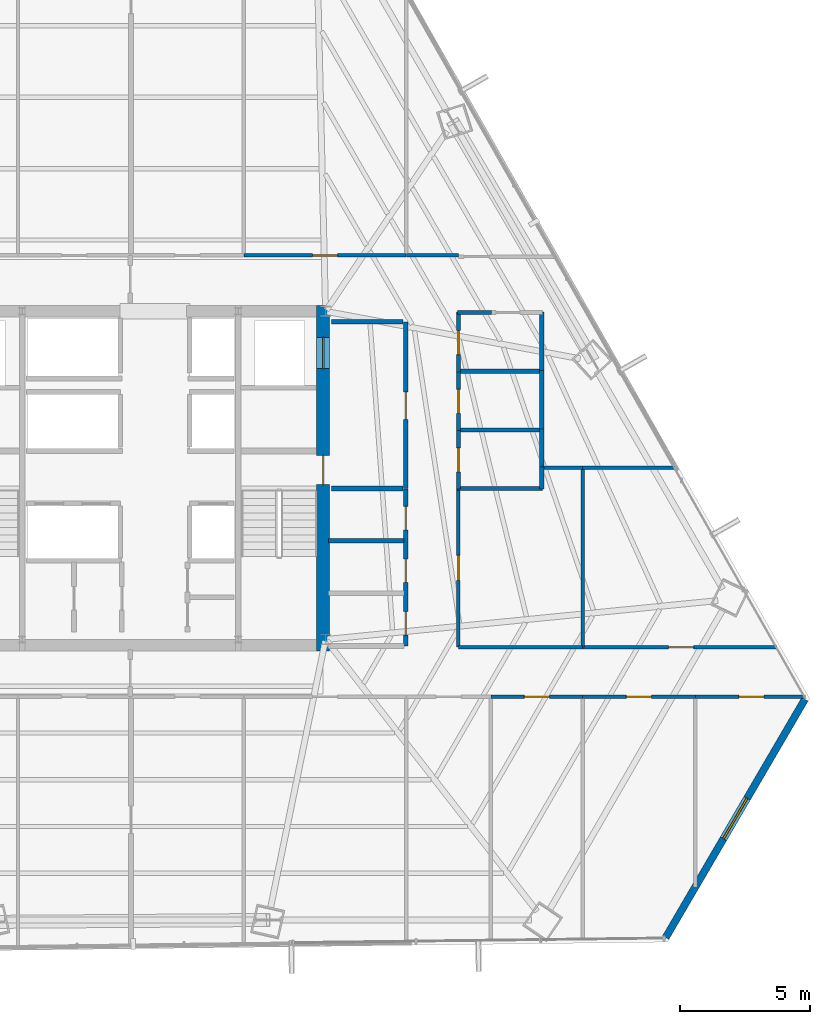
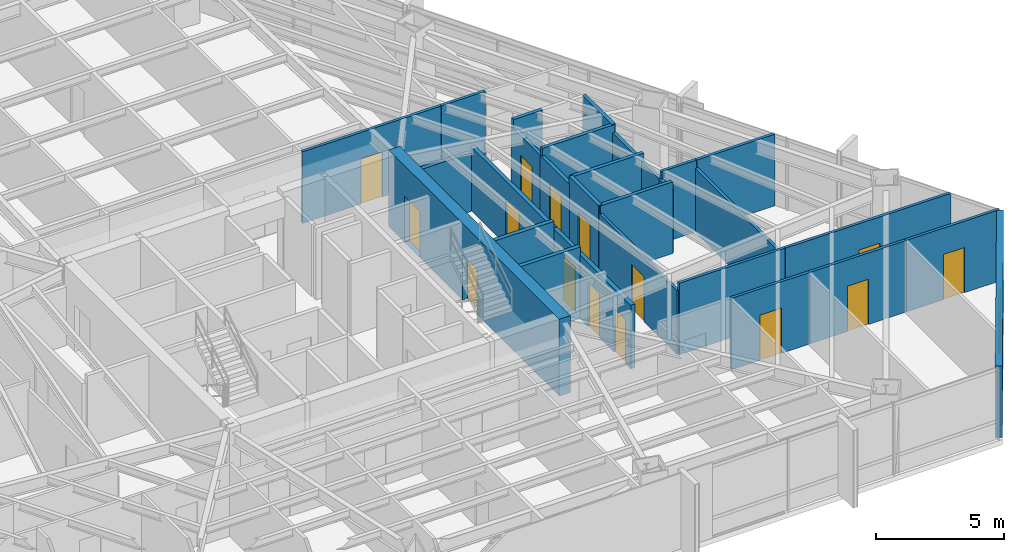
# One storey, part 33 of 37: 29 walls, 15 doors, 1 window, 16 openings.
"""IFC4 building model written with IfcOpenShell, lengths in metres."""

from ifc_helpers import new_model, si_unit, direction, frame, frame_2d, origin, place, context, subcontext, project, spatial, rectangle, extrude, material, layer, layer_set, type_object, element, fill, save


model = new_model("IFC4")

# Units and contexts
model_context = context("Model", 3, precision=1e-05, world=origin(), true_north=direction((0.0, 1.0)))
body_context = subcontext(model_context, "Body", "Model", "MODEL_VIEW")
ifc_project = project(units=[si_unit("LENGTHUNIT", "METRE"), si_unit("AREAUNIT", "SQUARE_METRE"), si_unit("VOLUMEUNIT", "CUBIC_METRE"), si_unit("PLANEANGLEUNIT", "RADIAN"), si_unit("MASSUNIT", "GRAM", prefix="KILO")], contexts=[model_context])

# Site, building, storey
site_placement = place(None, origin())
site = spatial("IfcSite", under=ifc_project, at=site_placement, CompositionType="ELEMENT")
building_placement = place(site_placement, origin())
building = spatial("IfcBuilding", under=site, at=building_placement, Name="Caelisora Broadcast Tower", CompositionType="ELEMENT")
storey_placement = place(building_placement, frame((0.0, 0.0, 116.35009765625)))
storey = spatial("IfcBuildingStorey", under=building, at=storey_placement, Name="L30", CompositionType="ELEMENT", Elevation=116.35009765625)

# Wall, openings, doors
ifc_material_1 = material(Name="Concrete 50 MPa (AS 3600 S50)", Category="concrete")
ifc_layer_1 = layer(ifc_material_1, 0.5, Name="Concrete 50 MPa (AS 3600 S50)")
ifc_layer_set_1 = layer_set([ifc_layer_1], Name="Concrete 50 MPa (AS 3600 S50)")
wall_type_1 = type_object("IfcWallType", Name="CW2", PredefinedType="SHEAR", material=ifc_layer_set_1)
wall_1_placement = place(storey_placement, frame((45.409912109375, 16.949951171875, 0.0), z_axis=(0.0, 0.0, 1.0), x_axis=(0.0, 1.0, 0.0)))
wall_1 = element("IfcWall", 1, at=wall_1_placement, inside=storey, type_object=wall_type_1, Name="L30 core shear wall CW2", PredefinedType="SHEAR", context=body_context, shape_type="SweptSolid", body=[
    extrude(rectangle(XDim=13.275146484375, YDim=0.5, at=frame_2d((6.6376953125, 0.0))), origin(), (0.0, 0.0, 1.0), 3.64990234375),
])
opening_1_placement = place(wall_1_placement, frame((6.39990234375, 0.0, 0.0)))
opening_1 = element("IfcOpeningElement", 2, at=opening_1_placement, cuts=wall_1, Name="Opening FD04", PredefinedType="OPENING", context=body_context, shape_type="SweptSolid", body=[
    extrude(rectangle(XDim=1.1201171875, YDim=2.14990234375, at=frame_2d((0.56005859375, 1.074951171875))), frame((0.0, 0.261962890625, 0.0), z_axis=(0.0, -1.0, 0.0), x_axis=(1.0, 0.0, 0.0)), (0.0, 0.0, 1.0), 0.52392578125),
])
opening_2_placement = place(wall_1_placement, frame((10.85009765625, 0.0, 0.0)))
opening_2 = element("IfcOpeningElement", 3, at=opening_2_placement, cuts=wall_1, Name="Opening LD04", PredefinedType="OPENING", context=body_context, shape_type="SweptSolid", body=[
    extrude(rectangle(XDim=1.199951171875, YDim=2.199951171875, at=frame_2d((0.60009765625, 1.10009765625))), frame((0.0, 0.261962890625, 0.0), z_axis=(0.0, -1.0, 0.0), x_axis=(1.0, 0.0, 0.0)), (0.0, 0.0, 1.0), 0.52392578125),
])
ifc_material_2 = material(Name="Pressurised Fire-Isolated Stair Door", Category="steel")
door_type_1 = type_object("IfcDoorType", Name="FD04", OperationType="NOTDEFINED", PredefinedType="DOOR", material=ifc_material_2)
door_1_placement = place(opening_1_placement, origin())
door_1 = element("IfcDoor", 4, at=door_1_placement, inside=storey, type_object=door_type_1, Name="L30 door FD04 (L30-DR-ST2)", OperationType="SINGLE_SWING_RIGHT", OverallHeight=2.14990234375, OverallWidth=1.1201171875, PredefinedType="DOOR", context=body_context, shape_type="SweptSolid", body=[
    extrude(rectangle(XDim=1.1201171875, YDim=2.14990234375, at=frame_2d((0.56005859375, 1.074951171875))), frame((0.0, 0.02490234375, 0.0), z_axis=(0.0, -1.0, 0.0), x_axis=(1.0, 0.0, 0.0)), (0.0, 0.0, 1.0), 0.050048828125),
])
fill(opening_1, door_1)
ifc_material_3 = material(Name="Emergency Firefighting Lift Sliding Landing Door", Category="steel")
door_type_2 = type_object("IfcDoorType", Name="LD04", OperationType="NOTDEFINED", PredefinedType="DOOR", material=ifc_material_3)
door_2_placement = place(opening_2_placement, origin())
door_2 = element("IfcDoor", 5, at=door_2_placement, inside=storey, type_object=door_type_2, Name="L30 door LD04 (L30-LD-FFL2)", OperationType="SLIDING_TO_RIGHT", OverallHeight=2.199951171875, OverallWidth=1.199951171875, PredefinedType="DOOR", context=body_context, shape_type="SweptSolid", body=[
    extrude(rectangle(XDim=1.199951171875, YDim=2.199951171875, at=frame_2d((0.60009765625, 1.10009765625))), frame((0.0, 0.02490234375, 0.0), z_axis=(0.0, -1.0, 0.0), x_axis=(1.0, 0.0, 0.0)), (0.0, 0.0, 1.0), 0.050048828125),
])
fill(opening_2, door_2)

# Wall, opening, window
ifc_material_4 = material(Name="Insulated Terracotta Spandrel Wall System", Category="masonry")
ifc_layer_2 = layer(ifc_material_4, 0.280029296875, Name="Insulated Terracotta Spandrel Wall System")
ifc_layer_set_2 = layer_set([ifc_layer_2], Name="Insulated Terracotta Spandrel Wall System")
wall_type_2 = type_object("IfcWallType", Name="EW1", PredefinedType="STANDARD", material=ifc_layer_set_2)
wall_2_placement = place(storey_placement, frame((63.90478515625, 15.10302734375, 0.0), z_axis=(0.0, 0.0, 1.0), x_axis=(-0.504465605524, -0.863431788182, 0.0)))
wall_2 = element("IfcWall", 6, at=wall_2_placement, inside=storey, type_object=wall_type_2, Name="L30 exterior envelope wall EW1", PredefinedType="STANDARD", context=body_context, shape_type="SweptSolid", body=[
    extrude(rectangle(XDim=10.5927734375, YDim=0.280029296875, at=frame_2d((5.29638671875, 0.0))), origin(), (0.0, 0.0, 1.0), 3.39990234375),
])
opening_3_placement = place(wall_2_placement, frame((4.39990234375, 0.0, 0.89990234375)))
opening_3 = element("IfcOpeningElement", 7, at=opening_3_placement, cuts=wall_2, Name="Opening W01", PredefinedType="OPENING", context=body_context, shape_type="SweptSolid", body=[
    extrude(rectangle(XDim=1.800048828125, YDim=1.800048828125, at=frame_2d((0.89990234375, 0.89990234375))), frame((0.0, 0.152099609375, 0.0), z_axis=(0.0, -1.0, 0.0), x_axis=(1.0, 0.0, 0.0)), (0.0, 0.0, 1.0), 0.303955078125),
])
ifc_material_5 = material(Name="Double Glazed Terracotta-Framed Vision Window", Category="glass")
window_type = type_object("IfcWindowType", Name="W01", PartitioningType="SINGLE_PANEL", PredefinedType="WINDOW", material=ifc_material_5)
window_placement = place(opening_3_placement, origin())
window = element("IfcWindow", 8, at=window_placement, inside=storey, type_object=window_type, Name="L30 window W01 (L30-WN-CH0)", OverallHeight=1.800048828125, OverallWidth=1.800048828125, PartitioningType="SINGLE_PANEL", PredefinedType="WINDOW", context=body_context, shape_type="SweptSolid", body=[
    extrude(rectangle(XDim=1.800048828125, YDim=1.800048828125, at=frame_2d((0.89990234375, 0.89990234375))), frame((0.0, 0.030029296875, 0.0), z_axis=(0.0, -1.0, 0.0), x_axis=(1.0, 0.0, 0.0)), (0.0, 0.0, 1.0), 0.06005859375),
])
fill(opening_3, window)

# Wall, opening, door
ifc_material_6 = material(Name="Fire-Rated Gypsum Shaft and Compartment Wall", Category="gypsum")
ifc_layer_3 = layer(ifc_material_6, 0.179931640625, Name="Fire-Rated Gypsum Shaft and Compartment Wall")
ifc_layer_set_3 = layer_set([ifc_layer_3], Name="Fire-Rated Gypsum Shaft and Compartment Wall")
wall_type_3 = type_object("IfcWallType", Name="PW2", PredefinedType="PARTITIONING", material=ifc_layer_set_3)
wall_3_placement = place(storey_placement, frame((48.580078125, 23.199951171875, 0.0), z_axis=(0.0, 0.0, 1.0), x_axis=(0.0, 1.0, 0.0)))
wall_3 = element("IfcWall", 9, at=wall_3_placement, inside=storey, type_object=wall_type_3, Name="L30 fire compartment wall PW2", PredefinedType="PARTITIONING", context=body_context, shape_type="SweptSolid", body=[
    extrude(rectangle(XDim=6.400146484375, YDim=0.179931640625, at=frame_2d((3.2001953125, 0.0))), origin(), (0.0, 0.0, 1.0), 3.0263671875),
])
opening_4_placement = place(wall_3_placement, frame((2.64990234375, 0.0, 0.0)))
opening_4 = element("IfcOpeningElement", 10, at=opening_4_placement, cuts=wall_3, Name="Opening FD02", PredefinedType="OPENING", context=body_context, shape_type="SweptSolid", body=[
    extrude(rectangle(XDim=1.050048828125, YDim=2.14990234375, at=frame_2d((0.52490234375, 1.074951171875))), frame((0.0, 0.10205078125, 0.0), z_axis=(0.0, -1.0, 0.0), x_axis=(1.0, 0.0, 0.0)), (0.0, 0.0, 1.0), 0.203857421875),
])
ifc_material_7 = material(Name="Single-Leaf Steel Fire Lobby Door", Category="steel")
door_type_3 = type_object("IfcDoorType", Name="FD02", OperationType="NOTDEFINED", PredefinedType="DOOR", material=ifc_material_7)
door_3_placement = place(opening_4_placement, origin())
door_3 = element("IfcDoor", 11, at=door_3_placement, inside=storey, type_object=door_type_3, Name="L30 door FD02 (L30-DR-P04D1)", OperationType="SINGLE_SWING_RIGHT", OverallHeight=2.14990234375, OverallWidth=1.050048828125, PredefinedType="DOOR", context=body_context, shape_type="SweptSolid", body=[
    extrude(rectangle(XDim=1.050048828125, YDim=2.14990234375, at=frame_2d((0.52490234375, 1.074951171875))), frame((0.0, 0.02490234375, 0.0), z_axis=(0.0, -1.0, 0.0), x_axis=(1.0, 0.0, 0.0)), (0.0, 0.0, 1.0), 0.050048828125),
])
fill(opening_4, door_3)

# Walls
wall_4_placement = place(storey_placement, frame((45.719970703125, 23.199951171875, 0.0), z_axis=(0.0, 0.0, 1.0), x_axis=(1.0, 0.0, 0.0)))
element("IfcWall", 12, at=wall_4_placement, inside=storey, type_object=wall_type_3, Name="L30 fire compartment wall PW2", PredefinedType="PARTITIONING", context=body_context, shape_type="SweptSolid", body=[
    extrude(rectangle(XDim=2.760009765625, YDim=0.179931640625, at=frame_2d((1.3798828125, 0.0))), origin(), (0.0, 0.0, 1.0), 3.39990234375),
])
wall_5_placement = place(storey_placement, frame((45.719970703125, 29.60009765625, 0.0), z_axis=(0.0, 0.0, 1.0), x_axis=(1.0, 0.0, 0.0)))
element("IfcWall", 13, at=wall_5_placement, inside=storey, type_object=wall_type_3, Name="L30 fire compartment wall PW2", PredefinedType="PARTITIONING", context=body_context, shape_type="SweptSolid", body=[
    extrude(rectangle(XDim=2.760009765625, YDim=0.179931640625, at=frame_2d((1.3798828125, 0.0))), origin(), (0.0, 0.0, 1.0), 2.78271484375),
])
wall_6_placement = place(storey_placement, frame((45.6201171875, 21.18994140625, 0.0), z_axis=(0.0, 0.0, 1.0), x_axis=(1.0, 0.0, 0.0)))
element("IfcWall", 14, at=wall_6_placement, inside=storey, type_object=wall_type_3, Name="L30 fire compartment wall PW2", PredefinedType="PARTITIONING", context=body_context, shape_type="SweptSolid", body=[
    extrude(rectangle(XDim=2.89990234375, YDim=0.179931640625, at=frame_2d((1.449951171875, 0.0))), origin(), (0.0, 0.0, 1.0), 3.39990234375),
])

# Wall, openings, doors
wall_7_placement = place(storey_placement, frame((48.580078125, 17.14990234375, 0.0), z_axis=(0.0, 0.0, 1.0), x_axis=(0.0, 1.0, 0.0)))
wall_7 = element("IfcWall", 15, at=wall_7_placement, inside=storey, type_object=wall_type_3, Name="L30 fire compartment wall PW2", PredefinedType="PARTITIONING", context=body_context, shape_type="SweptSolid", body=[
    extrude(rectangle(XDim=6.030029296875, YDim=0.179931640625, at=frame_2d((3.01513671875, 0.0))), origin(), (0.0, 0.0, 1.0), 3.0263671875),
])
opening_5_placement = place(wall_7_placement, frame((0.419921875, 0.0, 0.0)))
opening_5 = element("IfcOpeningElement", 16, at=opening_5_placement, cuts=wall_7, Name="Opening FD03", PredefinedType="OPENING", context=body_context, shape_type="SweptSolid", body=[
    extrude(rectangle(XDim=0.89990234375, YDim=2.10009765625, at=frame_2d((0.449951171875, 1.050048828125))), frame((0.0, 0.10205078125, 0.0), z_axis=(0.0, -1.0, 0.0), x_axis=(1.0, 0.0, 0.0)), (0.0, 0.0, 1.0), 0.203857421875),
])
opening_6_placement = place(wall_7_placement, frame((2.43994140625, 0.0, 0.0)))
opening_6 = element("IfcOpeningElement", 17, at=opening_6_placement, cuts=wall_7, Name="Opening FD03", PredefinedType="OPENING", context=body_context, shape_type="SweptSolid", body=[
    extrude(rectangle(XDim=0.89990234375, YDim=2.10009765625, at=frame_2d((0.449951171875, 1.050048828125))), frame((0.0, 0.10205078125, 0.0), z_axis=(0.0, -1.0, 0.0), x_axis=(1.0, 0.0, 0.0)), (0.0, 0.0, 1.0), 0.203857421875),
])
opening_7_placement = place(wall_7_placement, frame((4.4599609375, 0.0, 0.0)))
opening_7 = element("IfcOpeningElement", 18, at=opening_7_placement, cuts=wall_7, Name="Opening FD03", PredefinedType="OPENING", context=body_context, shape_type="SweptSolid", body=[
    extrude(rectangle(XDim=0.89990234375, YDim=2.10009765625, at=frame_2d((0.449951171875, 1.050048828125))), frame((0.0, 0.10205078125, 0.0), z_axis=(0.0, -1.0, 0.0), x_axis=(1.0, 0.0, 0.0)), (0.0, 0.0, 1.0), 0.203857421875),
])
ifc_material_8 = material(Name="Single-Leaf Steel Riser Fire Access Door", Category="steel")
door_type_4 = type_object("IfcDoorType", Name="FD03", OperationType="NOTDEFINED", PredefinedType="DOOR", material=ifc_material_8)
door_4_placement = place(opening_5_placement, origin())
door_4 = element("IfcDoor", 19, at=door_4_placement, inside=storey, type_object=door_type_4, Name="L30 door FD03 (L30-DR-P17D1)", OperationType="SINGLE_SWING_LEFT", OverallHeight=2.10009765625, OverallWidth=0.89990234375, PredefinedType="DOOR", context=body_context, shape_type="SweptSolid", body=[
    extrude(rectangle(XDim=0.89990234375, YDim=2.10009765625, at=frame_2d((0.449951171875, 1.050048828125))), frame((0.0, 0.02490234375, 0.0), z_axis=(0.0, -1.0, 0.0), x_axis=(1.0, 0.0, 0.0)), (0.0, 0.0, 1.0), 0.050048828125),
])
fill(opening_5, door_4)
door_5_placement = place(opening_6_placement, origin())
door_5 = element("IfcDoor", 20, at=door_5_placement, inside=storey, type_object=door_type_4, Name="L30 door FD03 (L30-DR-P17D2)", OperationType="SINGLE_SWING_RIGHT", OverallHeight=2.10009765625, OverallWidth=0.89990234375, PredefinedType="DOOR", context=body_context, shape_type="SweptSolid", body=[
    extrude(rectangle(XDim=0.89990234375, YDim=2.10009765625, at=frame_2d((0.449951171875, 1.050048828125))), frame((0.0, 0.02490234375, 0.0), z_axis=(0.0, -1.0, 0.0), x_axis=(1.0, 0.0, 0.0)), (0.0, 0.0, 1.0), 0.050048828125),
])
fill(opening_6, door_5)
door_6_placement = place(opening_7_placement, origin())
door_6 = element("IfcDoor", 21, at=door_6_placement, inside=storey, type_object=door_type_4, Name="L30 door FD03 (L30-DR-P17D3)", OperationType="SINGLE_SWING_LEFT", OverallHeight=2.10009765625, OverallWidth=0.89990234375, PredefinedType="DOOR", context=body_context, shape_type="SweptSolid", body=[
    extrude(rectangle(XDim=0.89990234375, YDim=2.10009765625, at=frame_2d((0.449951171875, 1.050048828125))), frame((0.0, 0.02490234375, 0.0), z_axis=(0.0, -1.0, 0.0), x_axis=(1.0, 0.0, 0.0)), (0.0, 0.0, 1.0), 0.050048828125),
])
fill(opening_7, door_6)

# Wall, opening, door
ifc_material_9 = material(Name="Acoustic Steel-Stud Plasterboard Partition", Category="gypsum")
ifc_layer_4 = layer(ifc_material_9, 0.1298828125, Name="Acoustic Steel-Stud Plasterboard Partition")
ifc_layer_set_4 = layer_set([ifc_layer_4], Name="Acoustic Steel-Stud Plasterboard Partition")
wall_type_4 = type_object("IfcWallType", Name="PW3", PredefinedType="PARTITIONING", material=ifc_layer_set_4)
wall_8_placement = place(storey_placement, frame((55.375, 17.10009765625, 0.0), z_axis=(0.0, 0.0, 1.0), x_axis=(1.0, 0.0, 0.0)))
wall_8 = element("IfcWall", 22, at=wall_8_placement, inside=storey, type_object=wall_type_4, Name="L30 internal partition PW3", PredefinedType="PARTITIONING", context=body_context, shape_type="SweptSolid", body=[
    extrude(rectangle(XDim=7.431640625, YDim=0.1298828125, at=frame_2d((3.7158203125, 0.0))), origin(), (0.0, 0.0, 1.0), 3.39990234375),
])
opening_8_placement = place(wall_8_placement, frame((3.29296875, 0.0, 0.0)))
opening_8 = element("IfcOpeningElement", 23, at=opening_8_placement, cuts=wall_8, Name="Opening D01", PredefinedType="OPENING", context=body_context, shape_type="SweptSolid", body=[
    extrude(rectangle(XDim=0.9599609375, YDim=2.14990234375, at=frame_2d((0.47998046875, 1.074951171875))), frame((0.0, 0.076904296875, 0.0), z_axis=(0.0, -1.0, 0.0), x_axis=(1.0, 0.0, 0.0)), (0.0, 0.0, 1.0), 0.15380859375),
])
ifc_material_10 = material(Name="Solid-Core Timber Acoustic Office Door", Category="wood")
door_type_5 = type_object("IfcDoorType", Name="D01", OperationType="NOTDEFINED", PredefinedType="DOOR", material=ifc_material_10)
door_7_placement = place(opening_8_placement, origin())
door_7 = element("IfcDoor", 24, at=door_7_placement, inside=storey, type_object=door_type_5, Name="L30 door D01 (L30-DR-P47D1)", OperationType="SINGLE_SWING_LEFT", OverallHeight=2.14990234375, OverallWidth=0.9599609375, PredefinedType="DOOR", context=body_context, shape_type="SweptSolid", body=[
    extrude(rectangle(XDim=0.9599609375, YDim=2.14990234375, at=frame_2d((0.47998046875, 1.074951171875))), frame((0.0, 0.02490234375, 0.0), z_axis=(0.0, -1.0, 0.0), x_axis=(1.0, 0.0, 0.0)), (0.0, 0.0, 1.0), 0.050048828125),
])
fill(opening_8, door_7)

# Wall
wall_9_placement = place(storey_placement, frame((55.3701171875, 17.10498046875, 0.0), z_axis=(0.0, 0.0, 1.0), x_axis=(0.0, 1.0, 0.0)))
element("IfcWall", 25, at=wall_9_placement, inside=storey, type_object=wall_type_4, Name="L30 internal partition PW3", PredefinedType="PARTITIONING", context=body_context, shape_type="SweptSolid", body=[
    extrude(rectangle(XDim=6.89013671875, YDim=0.1298828125, at=frame_2d((3.445068359375, 0.0))), origin(), (0.0, 0.0, 1.0), 3.0263671875),
])

# Wall, opening, door
wall_10_placement = place(storey_placement, frame((42.364990234375, 32.14990234375, 0.0), z_axis=(0.0, 0.0, 1.0), x_axis=(1.0, 0.0, 0.0)))
wall_10 = element("IfcWall", 26, at=wall_10_placement, inside=storey, type_object=wall_type_4, Name="L30 internal partition PW3", PredefinedType="PARTITIONING", context=body_context, shape_type="SweptSolid", body=[
    extrude(rectangle(XDim=6.22998046875, YDim=0.1298828125, at=frame_2d((3.114990234375, 0.0))), origin(), (0.0, 0.0, 1.0), 3.39990234375),
])
opening_9_placement = place(wall_10_placement, frame((2.635009765625, 0.0, 0.0)))
opening_9 = element("IfcOpeningElement", 27, at=opening_9_placement, cuts=wall_10, Name="Opening D01", PredefinedType="OPENING", context=body_context, shape_type="SweptSolid", body=[
    extrude(rectangle(XDim=0.9599609375, YDim=2.14990234375, at=frame_2d((0.47998046875, 1.074951171875))), frame((0.0, 0.076904296875, 0.0), z_axis=(0.0, -1.0, 0.0), x_axis=(1.0, 0.0, 0.0)), (0.0, 0.0, 1.0), 0.15380859375),
])
door_8_placement = place(opening_9_placement, origin())
door_8 = element("IfcDoor", 28, at=door_8_placement, inside=storey, type_object=door_type_5, Name="L30 door D01 (L30-DR-P53D1)", OperationType="SINGLE_SWING_LEFT", OverallHeight=2.14990234375, OverallWidth=0.9599609375, PredefinedType="DOOR", context=body_context, shape_type="SweptSolid", body=[
    extrude(rectangle(XDim=0.9599609375, YDim=2.14990234375, at=frame_2d((0.47998046875, 1.074951171875))), frame((0.0, 0.02490234375, 0.0), z_axis=(0.0, -1.0, 0.0), x_axis=(1.0, 0.0, 0.0)), (0.0, 0.0, 1.0), 0.050048828125),
])
fill(opening_9, door_8)

wall_11_placement = place(storey_placement, frame((50.60009765625, 17.10498046875, 0.0), z_axis=(0.0, 0.0, 1.0), x_axis=(0.0, 1.0, 0.0)))
wall_11 = element("IfcWall", 29, at=wall_11_placement, inside=storey, type_object=wall_type_4, Name="L30 internal partition PW3", PredefinedType="PARTITIONING", context=body_context, shape_type="SweptSolid", body=[
    extrude(rectangle(XDim=6.090087890625, YDim=0.1298828125, at=frame_2d((3.044921875, 0.0))), origin(), (0.0, 0.0, 1.0), 3.0263671875),
])
opening_10_placement = place(wall_11_placement, frame((2.56494140625, 0.0, 0.0)))
opening_10 = element("IfcOpeningElement", 30, at=opening_10_placement, cuts=wall_11, Name="Opening D01", PredefinedType="OPENING", context=body_context, shape_type="SweptSolid", body=[
    extrude(rectangle(XDim=0.9599609375, YDim=2.14990234375, at=frame_2d((0.47998046875, 1.074951171875))), frame((0.0, 0.076904296875, 0.0), z_axis=(0.0, -1.0, 0.0), x_axis=(1.0, 0.0, 0.0)), (0.0, 0.0, 1.0), 0.15380859375),
])
door_9_placement = place(opening_10_placement, origin())
door_9 = element("IfcDoor", 31, at=door_9_placement, inside=storey, type_object=door_type_5, Name="L30 door D01 (L30-DR-P57D1)", OperationType="SINGLE_SWING_LEFT", OverallHeight=2.14990234375, OverallWidth=0.9599609375, PredefinedType="DOOR", context=body_context, shape_type="SweptSolid", body=[
    extrude(rectangle(XDim=0.9599609375, YDim=2.14990234375, at=frame_2d((0.47998046875, 1.074951171875))), frame((0.0, 0.02490234375, 0.0), z_axis=(0.0, -1.0, 0.0), x_axis=(1.0, 0.0, 0.0)), (0.0, 0.0, 1.0), 0.050048828125),
])
fill(opening_10, door_9)

# Wall
wall_12_placement = place(storey_placement, frame((55.364990234375, 17.10009765625, 0.0), z_axis=(0.0, 0.0, 1.0), x_axis=(-1.0, 0.0, 0.0)))
element("IfcWall", 32, at=wall_12_placement, inside=storey, type_object=wall_type_4, Name="L30 internal partition PW3", PredefinedType="PARTITIONING", context=body_context, shape_type="SweptSolid", body=[
    extrude(rectangle(XDim=4.760009765625, YDim=0.1298828125, at=frame_2d((2.3798828125, 0.0))), origin(), (0.0, 0.0, 1.0), 3.39990234375),
])

# Wall, opening, door
wall_13_placement = place(storey_placement, frame((55.375, 15.199951171875, 0.0), z_axis=(0.0, 0.0, 1.0), x_axis=(1.0, 0.0, 0.0)))
wall_13 = element("IfcWall", 33, at=wall_13_placement, inside=storey, type_object=wall_type_4, Name="L30 internal partition PW3", PredefinedType="PARTITIONING", context=body_context, shape_type="SweptSolid", body=[
    extrude(rectangle(XDim=4.320068359375, YDim=0.1298828125, at=frame_2d((2.16015625, 0.0))), origin(), (0.0, 0.0, 1.0), 3.39990234375),
])
opening_11_placement = place(wall_13_placement, frame((1.679931640625, 0.0, 0.0)))
opening_11 = element("IfcOpeningElement", 34, at=opening_11_placement, cuts=wall_13, Name="Opening D01", PredefinedType="OPENING", context=body_context, shape_type="SweptSolid", body=[
    extrude(rectangle(XDim=0.9599609375, YDim=2.14990234375, at=frame_2d((0.47998046875, 1.074951171875))), frame((0.0, 0.076904296875, 0.0), z_axis=(0.0, -1.0, 0.0), x_axis=(1.0, 0.0, 0.0)), (0.0, 0.0, 1.0), 0.15380859375),
])
door_10_placement = place(opening_11_placement, origin())
door_10 = element("IfcDoor", 35, at=door_10_placement, inside=storey, type_object=door_type_5, Name="L30 door D01 (L30-DR-P64D1)", OperationType="SINGLE_SWING_RIGHT", OverallHeight=2.14990234375, OverallWidth=0.9599609375, PredefinedType="DOOR", context=body_context, shape_type="SweptSolid", body=[
    extrude(rectangle(XDim=0.9599609375, YDim=2.14990234375, at=frame_2d((0.47998046875, 1.074951171875))), frame((0.0, 0.02490234375, 0.0), z_axis=(0.0, -1.0, 0.0), x_axis=(1.0, 0.0, 0.0)), (0.0, 0.0, 1.0), 0.050048828125),
])
fill(opening_11, door_10)

wall_14_placement = place(storey_placement, frame((59.705078125, 15.199951171875, 0.0), z_axis=(0.0, 0.0, 1.0), x_axis=(1.0, 0.0, 0.0)))
wall_14 = element("IfcWall", 36, at=wall_14_placement, inside=storey, type_object=wall_type_4, Name="L30 internal partition PW3", PredefinedType="PARTITIONING", context=body_context, shape_type="SweptSolid", body=[
    extrude(rectangle(XDim=4.180419921875, YDim=0.1298828125, at=frame_2d((2.09033203125, 0.0))), origin(), (0.0, 0.0, 1.0), 3.39990234375),
])
opening_12_placement = place(wall_14_placement, frame((1.6630859375, 0.0, 0.0)))
opening_12 = element("IfcOpeningElement", 37, at=opening_12_placement, cuts=wall_14, Name="Opening D01", PredefinedType="OPENING", context=body_context, shape_type="SweptSolid", body=[
    extrude(rectangle(XDim=0.9599609375, YDim=2.14990234375, at=frame_2d((0.47998046875, 1.074951171875))), frame((0.0, 0.076904296875, 0.0), z_axis=(0.0, -1.0, 0.0), x_axis=(1.0, 0.0, 0.0)), (0.0, 0.0, 1.0), 0.15380859375),
])
door_11_placement = place(opening_12_placement, origin())
door_11 = element("IfcDoor", 38, at=door_11_placement, inside=storey, type_object=door_type_5, Name="L30 door D01 (L30-DR-P73D1)", OperationType="SINGLE_SWING_RIGHT", OverallHeight=2.14990234375, OverallWidth=0.9599609375, PredefinedType="DOOR", context=body_context, shape_type="SweptSolid", body=[
    extrude(rectangle(XDim=0.9599609375, YDim=2.14990234375, at=frame_2d((0.47998046875, 1.074951171875))), frame((0.0, 0.02490234375, 0.0), z_axis=(0.0, -1.0, 0.0), x_axis=(1.0, 0.0, 0.0)), (0.0, 0.0, 1.0), 0.050048828125),
])
fill(opening_12, door_11)

# Wall
wall_15_placement = place(storey_placement, frame((55.375, 24.0, 0.0), z_axis=(0.0, 0.0, 1.0), x_axis=(1.0, 0.0, 0.0)))
element("IfcWall", 39, at=wall_15_placement, inside=storey, type_object=wall_type_4, Name="L30 internal partition PW3", PredefinedType="PARTITIONING", context=body_context, shape_type="SweptSolid", body=[
    extrude(rectangle(XDim=3.513916015625, YDim=0.1298828125, at=frame_2d((1.7568359375, 0.0))), origin(), (0.0, 0.0, 1.0), 3.39990234375),
])

# Wall, opening, door
wall_16_placement = place(storey_placement, frame((51.85498046875, 15.199951171875, 0.0), z_axis=(0.0, 0.0, 1.0), x_axis=(1.0, 0.0, 0.0)))
wall_16 = element("IfcWall", 40, at=wall_16_placement, inside=storey, type_object=wall_type_4, Name="L30 internal partition PW3", PredefinedType="PARTITIONING", context=body_context, shape_type="SweptSolid", body=[
    extrude(rectangle(XDim=3.510009765625, YDim=0.1298828125, at=frame_2d((1.7548828125, 0.0))), origin(), (0.0, 0.0, 1.0), 3.39990234375),
])
opening_13_placement = place(wall_16_placement, frame((1.27490234375, 0.0, 0.0)))
opening_13 = element("IfcOpeningElement", 41, at=opening_13_placement, cuts=wall_16, Name="Opening D01", PredefinedType="OPENING", context=body_context, shape_type="SweptSolid", body=[
    extrude(rectangle(XDim=0.9599609375, YDim=2.14990234375, at=frame_2d((0.47998046875, 1.074951171875))), frame((0.0, 0.076904296875, 0.0), z_axis=(0.0, -1.0, 0.0), x_axis=(1.0, 0.0, 0.0)), (0.0, 0.0, 1.0), 0.15380859375),
])
door_12_placement = place(opening_13_placement, origin())
door_12 = element("IfcDoor", 42, at=door_12_placement, inside=storey, type_object=door_type_5, Name="L30 door D01 (L30-DR-P80D1)", OperationType="SINGLE_SWING_LEFT", OverallHeight=2.14990234375, OverallWidth=0.9599609375, PredefinedType="DOOR", context=body_context, shape_type="SweptSolid", body=[
    extrude(rectangle(XDim=0.9599609375, YDim=2.14990234375, at=frame_2d((0.47998046875, 1.074951171875))), frame((0.0, 0.02490234375, 0.0), z_axis=(0.0, -1.0, 0.0), x_axis=(1.0, 0.0, 0.0)), (0.0, 0.0, 1.0), 0.050048828125),
])
fill(opening_13, door_12)

# Walls
wall_17_placement = place(storey_placement, frame((48.60498046875, 32.14990234375, 0.0), z_axis=(0.0, 0.0, 1.0), x_axis=(1.0, 0.0, 0.0)))
element("IfcWall", 43, at=wall_17_placement, inside=storey, type_object=wall_type_4, Name="L30 internal partition PW3", PredefinedType="PARTITIONING", context=body_context, shape_type="SweptSolid", body=[
    extrude(rectangle(XDim=1.989990234375, YDim=0.1298828125, at=frame_2d((0.9951171875, 0.0))), origin(), (0.0, 0.0, 1.0), 3.39990234375),
])
wall_18_placement = place(storey_placement, frame((53.804931640625, 24.0, 0.0), z_axis=(0.0, 0.0, 1.0), x_axis=(1.0, 0.0, 0.0)))
element("IfcWall", 44, at=wall_18_placement, inside=storey, type_object=wall_type_4, Name="L30 internal partition PW3", PredefinedType="PARTITIONING", context=body_context, shape_type="SweptSolid", body=[
    extrude(rectangle(XDim=1.56005859375, YDim=0.1298828125, at=frame_2d((0.780029296875, 0.0))), origin(), (0.0, 0.0, 1.0), 3.39990234375),
])
ifc_material_11 = material(Name="Moisture-Resistant Wet Plumbing Service Wall", Category="gypsum")
ifc_layer_5 = layer(ifc_material_11, 0.159912109375, Name="Moisture-Resistant Wet Plumbing Service Wall")
ifc_layer_set_5 = layer_set([ifc_layer_5], Name="Moisture-Resistant Wet Plumbing Service Wall")
wall_type_5 = type_object("IfcWallType", Name="PW4", PredefinedType="PLUMBINGWALL", material=ifc_layer_set_5)
for number, where, z_axis, x_axis, name in (
    (45, (50.574951171875, 23.199951171875, 0.0), (0.0, 0.0, 1.0), (1.0, 0.0, 0.0), "L30 wet plumbing wall PW4"),
    (46, (50.574951171875, 25.449951171875, 0.0), (0.0, 0.0, 1.0), (1.0, 0.0, 0.0), "L30 wet plumbing wall PW4"),
    (47, (50.574951171875, 27.699951171875, 0.0), (0.0, 0.0, 1.0), (1.0, 0.0, 0.0), "L30 wet plumbing wall PW4"),
):
    element("IfcWall", number, at=place(storey_placement, frame(where, z_axis=z_axis, x_axis=x_axis)), inside=storey, type_object=wall_type_5, Name=name, PredefinedType="PLUMBINGWALL", context=body_context, shape_type="SweptSolid", body=[
        extrude(rectangle(XDim=3.25, YDim=0.159912109375, at=frame_2d((1.625, 0.0))), origin(), (0.0, 0.0, 1.0), 3.39990234375),
    ])

# Wall, opening, door
wall_19_placement = place(storey_placement, frame((50.60009765625, 27.675048828125, 0.0), z_axis=(0.0, 0.0, 1.0), x_axis=(0.0, 1.0, 0.0)))
wall_19 = element("IfcWall", 48, at=wall_19_placement, inside=storey, type_object=wall_type_5, Name="L30 wet plumbing wall PW4", PredefinedType="PLUMBINGWALL", context=body_context, shape_type="SweptSolid", body=[
    extrude(rectangle(XDim=2.300048828125, YDim=0.159912109375, at=frame_2d((1.14990234375, 0.0))), origin(), (0.0, 0.0, 1.0), 3.0263671875),
])
opening_14_placement = place(wall_19_placement, frame((0.659912109375, 0.0, 0.0)))
opening_14 = element("IfcOpeningElement", 49, at=opening_14_placement, cuts=wall_19, Name="Opening D03", PredefinedType="OPENING", context=body_context, shape_type="SweptSolid", body=[
    extrude(rectangle(XDim=0.919921875, YDim=2.10009765625, at=frame_2d((0.4599609375, 1.050048828125))), frame((0.0, 0.092041015625, 0.0), z_axis=(0.0, -1.0, 0.0), x_axis=(1.0, 0.0, 0.0)), (0.0, 0.0, 1.0), 0.183837890625),
])
ifc_material_12 = material(Name="Laminate Moisture-Resistant Amenity WC Door", Category="wood")
door_type_6 = type_object("IfcDoorType", Name="D03", OperationType="NOTDEFINED", PredefinedType="DOOR", material=ifc_material_12)
door_13_placement = place(opening_14_placement, origin())
door_13 = element("IfcDoor", 50, at=door_13_placement, inside=storey, type_object=door_type_6, Name="L30 door D03 (L30-DR-P22D1)", OperationType="SINGLE_SWING_RIGHT", OverallHeight=2.10009765625, OverallWidth=0.919921875, PredefinedType="DOOR", context=body_context, shape_type="SweptSolid", body=[
    extrude(rectangle(XDim=0.919921875, YDim=2.10009765625, at=frame_2d((0.4599609375, 1.050048828125))), frame((0.0, 0.02490234375, 0.0), z_axis=(0.0, -1.0, 0.0), x_axis=(1.0, 0.0, 0.0)), (0.0, 0.0, 1.0), 0.050048828125),
])
fill(opening_14, door_13)

wall_20_placement = place(storey_placement, frame((50.60009765625, 25.425048828125, 0.0), z_axis=(0.0, 0.0, 1.0), x_axis=(0.0, 1.0, 0.0)))
wall_20 = element("IfcWall", 51, at=wall_20_placement, inside=storey, type_object=wall_type_5, Name="L30 wet plumbing wall PW4", PredefinedType="PLUMBINGWALL", context=body_context, shape_type="SweptSolid", body=[
    extrude(rectangle(XDim=2.300048828125, YDim=0.159912109375, at=frame_2d((1.14990234375, 0.0))), origin(), (0.0, 0.0, 1.0), 3.0263671875),
])
opening_15_placement = place(wall_20_placement, frame((0.659912109375, 0.0, 0.0)))
opening_15 = element("IfcOpeningElement", 52, at=opening_15_placement, cuts=wall_20, Name="Opening D03", PredefinedType="OPENING", context=body_context, shape_type="SweptSolid", body=[
    extrude(rectangle(XDim=0.919921875, YDim=2.10009765625, at=frame_2d((0.4599609375, 1.050048828125))), frame((0.0, 0.092041015625, 0.0), z_axis=(0.0, -1.0, 0.0), x_axis=(1.0, 0.0, 0.0)), (0.0, 0.0, 1.0), 0.183837890625),
])
door_14_placement = place(opening_15_placement, origin())
door_14 = element("IfcDoor", 53, at=door_14_placement, inside=storey, type_object=door_type_6, Name="L30 door D03 (L30-DR-P23D1)", OperationType="SINGLE_SWING_LEFT", OverallHeight=2.10009765625, OverallWidth=0.919921875, PredefinedType="DOOR", context=body_context, shape_type="SweptSolid", body=[
    extrude(rectangle(XDim=0.919921875, YDim=2.10009765625, at=frame_2d((0.4599609375, 1.050048828125))), frame((0.0, 0.02490234375, 0.0), z_axis=(0.0, -1.0, 0.0), x_axis=(1.0, 0.0, 0.0)), (0.0, 0.0, 1.0), 0.050048828125),
])
fill(opening_15, door_14)

wall_21_placement = place(storey_placement, frame((50.60009765625, 23.175048828125, 0.0), z_axis=(0.0, 0.0, 1.0), x_axis=(0.0, 1.0, 0.0)))
wall_21 = element("IfcWall", 54, at=wall_21_placement, inside=storey, type_object=wall_type_5, Name="L30 wet plumbing wall PW4", PredefinedType="PLUMBINGWALL", context=body_context, shape_type="SweptSolid", body=[
    extrude(rectangle(XDim=2.300048828125, YDim=0.159912109375, at=frame_2d((1.14990234375, 0.0))), origin(), (0.0, 0.0, 1.0), 3.39990234375),
])
opening_16_placement = place(wall_21_placement, frame((0.659912109375, 0.0, 0.0)))
opening_16 = element("IfcOpeningElement", 55, at=opening_16_placement, cuts=wall_21, Name="Opening D03", PredefinedType="OPENING", context=body_context, shape_type="SweptSolid", body=[
    extrude(rectangle(XDim=0.919921875, YDim=2.10009765625, at=frame_2d((0.4599609375, 1.050048828125))), frame((0.0, 0.092041015625, 0.0), z_axis=(0.0, -1.0, 0.0), x_axis=(1.0, 0.0, 0.0)), (0.0, 0.0, 1.0), 0.183837890625),
])
door_15_placement = place(opening_16_placement, origin())
door_15 = element("IfcDoor", 56, at=door_15_placement, inside=storey, type_object=door_type_6, Name="L30 door D03 (L30-DR-P24D1)", OperationType="SINGLE_SWING_RIGHT", OverallHeight=2.10009765625, OverallWidth=0.919921875, PredefinedType="DOOR", context=body_context, shape_type="SweptSolid", body=[
    extrude(rectangle(XDim=0.919921875, YDim=2.10009765625, at=frame_2d((0.4599609375, 1.050048828125))), frame((0.0, 0.02490234375, 0.0), z_axis=(0.0, -1.0, 0.0), x_axis=(1.0, 0.0, 0.0)), (0.0, 0.0, 1.0), 0.050048828125),
])
fill(opening_16, door_15)

# Walls
wall_22_placement = place(storey_placement, frame((53.800048828125, 25.425048828125, 0.0), z_axis=(0.0, 0.0, 1.0), x_axis=(0.0, 1.0, 0.0)))
element("IfcWall", 57, at=wall_22_placement, inside=storey, type_object=wall_type_5, Name="L30 wet plumbing wall PW4", PredefinedType="PLUMBINGWALL", context=body_context, shape_type="SweptSolid", body=[
    extrude(rectangle(XDim=2.300048828125, YDim=0.159912109375, at=frame_2d((1.14990234375, 0.0))), origin(), (0.0, 0.0, 1.0), 3.0263671875),
])
wall_23_placement = place(storey_placement, frame((53.800048828125, 27.675048828125, 0.0), z_axis=(0.0, 0.0, 1.0), x_axis=(0.0, 1.0, 0.0)))
element("IfcWall", 58, at=wall_23_placement, inside=storey, type_object=wall_type_5, Name="L30 wet plumbing wall PW4", PredefinedType="PLUMBINGWALL", context=body_context, shape_type="SweptSolid", body=[
    extrude(rectangle(XDim=2.300048828125, YDim=0.159912109375, at=frame_2d((1.14990234375, 0.0))), origin(), (0.0, 0.0, 1.0), 3.39990234375),
])
wall_24_placement = place(storey_placement, frame((53.800048828125, 23.97509765625, 0.0), z_axis=(0.0, 0.0, 1.0), x_axis=(0.0, 1.0, 0.0)))
element("IfcWall", 59, at=wall_24_placement, inside=storey, type_object=wall_type_5, Name="L30 wet plumbing wall PW4", PredefinedType="PLUMBINGWALL", context=body_context, shape_type="SweptSolid", body=[
    extrude(rectangle(XDim=1.5, YDim=0.159912109375, at=frame_2d((0.75, 0.0))), origin(), (0.0, 0.0, 1.0), 3.0263671875),
])
wall_25_placement = place(storey_placement, frame((50.574951171875, 29.949951171875, 0.0), z_axis=(0.0, 0.0, 1.0), x_axis=(1.0, 0.0, 0.0)))
element("IfcWall", 60, at=wall_25_placement, inside=storey, type_object=wall_type_5, Name="L30 wet plumbing wall PW4", PredefinedType="PLUMBINGWALL", context=body_context, shape_type="SweptSolid", body=[
    extrude(rectangle(XDim=1.300048828125, YDim=0.159912109375, at=frame_2d((0.64990234375, 0.0))), origin(), (0.0, 0.0, 1.0), 3.39990234375),
])
wall_26_placement = place(storey_placement, frame((53.800048828125, 23.175048828125, 0.0), z_axis=(0.0, 0.0, 1.0), x_axis=(0.0, 1.0, 0.0)))
element("IfcWall", 61, at=wall_26_placement, inside=storey, type_object=wall_type_5, Name="L30 wet plumbing wall PW4", PredefinedType="PLUMBINGWALL", context=body_context, shape_type="SweptSolid", body=[
    extrude(rectangle(XDim=0.849853515625, YDim=0.159912109375, at=frame_2d((0.4248046875, 0.0))), origin(), (0.0, 0.0, 1.0), 3.0263671875),
])

save(model, "model.ifc")
